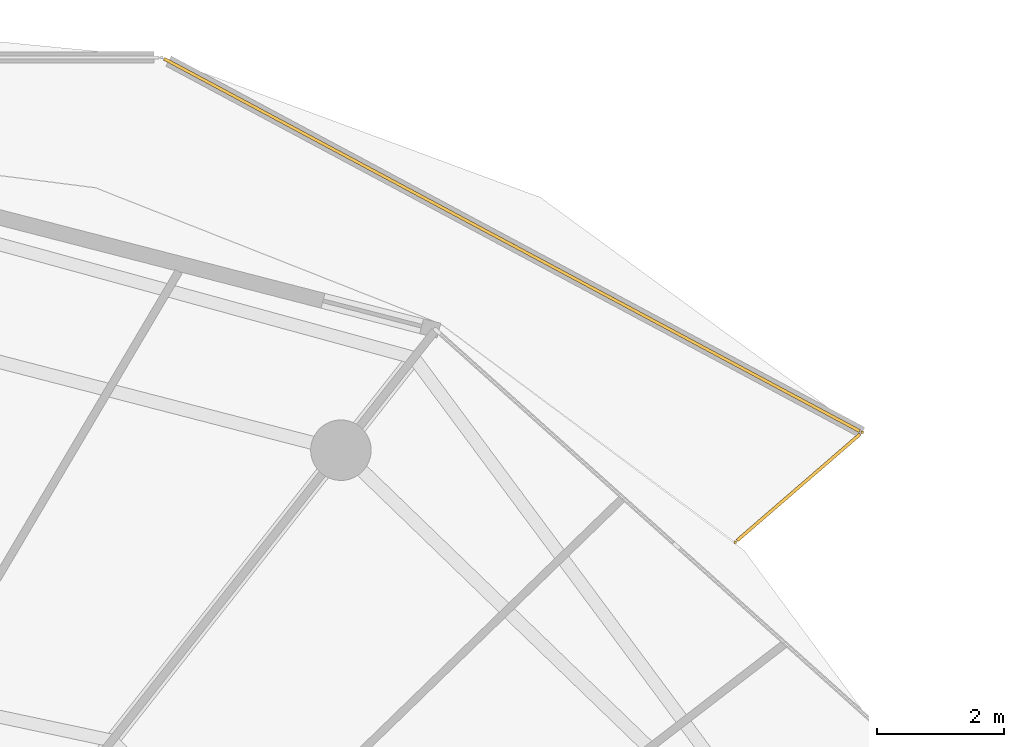
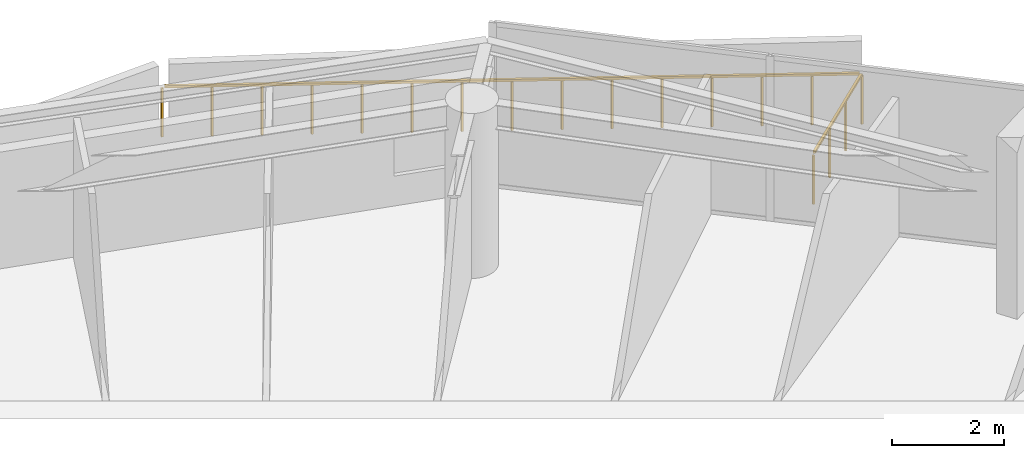
# One storey, part 30 of 30: 2 railings.
"""IFC4 building model written with IfcOpenShell, lengths in metres."""

from ifc_helpers import new_model, si_unit, direction, frame, origin, origin_2d, place, context, subcontext, project, spatial, rectangle, extrude, material, type_object, element, save


model = new_model("IFC4")

# Units and contexts
model_context = context("Model", 3, precision=1e-05, world=origin(), true_north=direction((0.0, 1.0)))
body_context = subcontext(model_context, "Body", "Model", "MODEL_VIEW")
ifc_project = project(units=[si_unit("LENGTHUNIT", "METRE"), si_unit("AREAUNIT", "SQUARE_METRE"), si_unit("VOLUMEUNIT", "CUBIC_METRE"), si_unit("PLANEANGLEUNIT", "RADIAN"), si_unit("MASSUNIT", "GRAM", prefix="KILO")], contexts=[model_context])

# Site, building, storey
site_placement = place(None, origin())
site = spatial("IfcSite", under=ifc_project, at=site_placement, CompositionType="ELEMENT")
building_placement = place(site_placement, origin())
building = spatial("IfcBuilding", under=site, at=building_placement, Name="Kazma Halo Residences", CompositionType="ELEMENT")
storey_placement = place(building_placement, frame((0.0, 0.0, 263.64990234375)))
storey = spatial("IfcBuildingStorey", under=building, at=storey_placement, Name="L66", CompositionType="ELEMENT", Elevation=263.64990234375)

# Railings
ifc_material = material(Name="Aluminium AW-6063 T6 Brushed Cap Rail", Category="aluminium")
railing_type = type_object("IfcRailingType", Name="RLG-BAL-CAP-1120", PredefinedType="BALUSTRADE", material=ifc_material)
railing_1_placement = place(storey_placement, frame((71.0400390625, 61.9228515625, 0.0)))
element("IfcRailing", 1, at=railing_1_placement, inside=storey, type_object=railing_type, Name="L66 NE wave balcony guard 1", PredefinedType="BALUSTRADE", context=body_context, shape_type="SweptSolid", body=[
    extrude(rectangle(XDim=0.050048828125, YDim=0.050048828125, at=origin_2d()), frame((0.0322265625, 0.02783203125, 1.09521484375), z_axis=(0.756423746387, 0.654081887765, 0.0), x_axis=(-0.654081887765, 0.756423746387, 0.0)), (0.0, 0.0, 1.0), 2.5556640625),
    extrude(rectangle(XDim=0.0400390625, YDim=0.0400390625, at=origin_2d()), origin(), (0.0, 0.0, 1.0), 1.05810546875),
    extrude(rectangle(XDim=0.0400390625, YDim=0.0400390625, at=origin_2d()), frame((0.665771484375, 0.57568359375, 0.0)), (0.0, 0.0, 1.0), 1.05810546875),
    extrude(rectangle(XDim=0.0400390625, YDim=0.0400390625, at=origin_2d()), frame((1.331787109375, 1.151611328125, 0.0)), (0.0, 0.0, 1.0), 1.05810546875),
    extrude(rectangle(XDim=0.0400390625, YDim=0.0400390625, at=origin_2d()), frame((1.99755859375, 1.727294921875, 0.0)), (0.0, 0.0, 1.0), 1.05810546875),
])
railing_2_placement = place(storey_placement, frame((73.03759765625, 63.650146484375, 0.0)))
element("IfcRailing", 2, at=railing_2_placement, inside=storey, type_object=railing_type, Name="L66 NE wave balcony guard 2", PredefinedType="BALUSTRADE", context=body_context, shape_type="SweptSolid", body=[
    extrude(rectangle(XDim=0.050048828125, YDim=0.050048828125, at=origin_2d()), frame((-0.03759765625, 0.02001953125, 1.09521484375), z_axis=(-0.881587822602, 0.472020032455, 0.0), x_axis=(-0.472020032455, -0.881587822602, 0.0)), (0.0, 0.0, 1.0), 12.397216796875),
    extrude(rectangle(XDim=0.0400390625, YDim=0.0400390625, at=origin_2d()), origin(), (0.0, 0.0, 1.0), 1.05810546875),
    extrude(rectangle(XDim=0.0400390625, YDim=0.0400390625, at=origin_2d()), frame((-0.7861328125, 0.4208984375, 0.0)), (0.0, 0.0, 1.0), 1.05810546875),
    extrude(rectangle(XDim=0.0400390625, YDim=0.0400390625, at=origin_2d()), frame((-1.572021484375, 0.841796875, 0.0)), (0.0, 0.0, 1.0), 1.05810546875),
    extrude(rectangle(XDim=0.0400390625, YDim=0.0400390625, at=origin_2d()), frame((-2.35791015625, 1.262451171875, 0.0)), (0.0, 0.0, 1.0), 1.05810546875),
    extrude(rectangle(XDim=0.0400390625, YDim=0.0400390625, at=origin_2d()), frame((-3.14404296875, 1.683349609375, 0.0)), (0.0, 0.0, 1.0), 1.05810546875),
    extrude(rectangle(XDim=0.0400390625, YDim=0.0400390625, at=origin_2d()), frame((-3.93017578125, 2.104248046875, 0.0)), (0.0, 0.0, 1.0), 1.05810546875),
    extrude(rectangle(XDim=0.0400390625, YDim=0.0400390625, at=origin_2d()), frame((-4.716064453125, 2.525146484375, 0.0)), (0.0, 0.0, 1.0), 1.05810546875),
    extrude(rectangle(XDim=0.0400390625, YDim=0.0400390625, at=origin_2d()), frame((-5.501953125, 2.94580078125, 0.0)), (0.0, 0.0, 1.0), 1.05810546875),
    extrude(rectangle(XDim=0.0400390625, YDim=0.0400390625, at=origin_2d()), frame((-6.2880859375, 3.36669921875, 0.0)), (0.0, 0.0, 1.0), 1.05810546875),
    extrude(rectangle(XDim=0.0400390625, YDim=0.0400390625, at=origin_2d()), frame((-7.07421875, 3.78759765625, 0.0)), (0.0, 0.0, 1.0), 1.05810546875),
    extrude(rectangle(XDim=0.0400390625, YDim=0.0400390625, at=origin_2d()), frame((-7.860107421875, 4.20849609375, 0.0)), (0.0, 0.0, 1.0), 1.05810546875),
    extrude(rectangle(XDim=0.0400390625, YDim=0.0400390625, at=origin_2d()), frame((-8.64599609375, 4.62939453125, 0.0)), (0.0, 0.0, 1.0), 1.05810546875),
    extrude(rectangle(XDim=0.0400390625, YDim=0.0400390625, at=origin_2d()), frame((-9.43212890625, 5.050048828125, 0.0)), (0.0, 0.0, 1.0), 1.05810546875),
    extrude(rectangle(XDim=0.0400390625, YDim=0.0400390625, at=origin_2d()), frame((-10.21826171875, 5.470947265625, 0.0)), (0.0, 0.0, 1.0), 1.05810546875),
    extrude(rectangle(XDim=0.0400390625, YDim=0.0400390625, at=origin_2d()), frame((-11.004150390625, 5.891845703125, 0.0)), (0.0, 0.0, 1.0), 1.05810546875),
])

save(model, "model.ifc")
